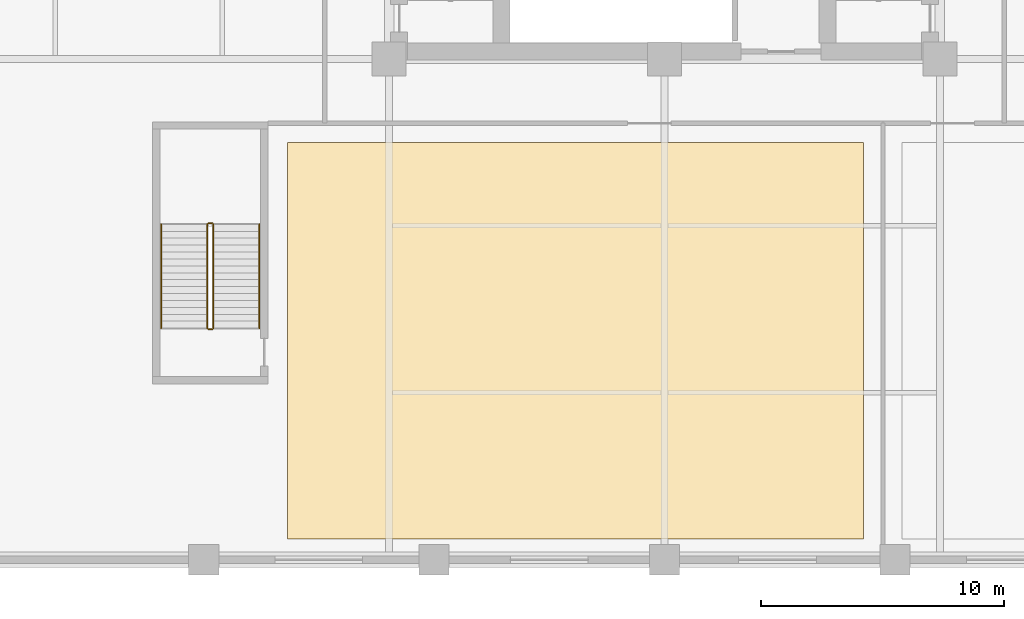
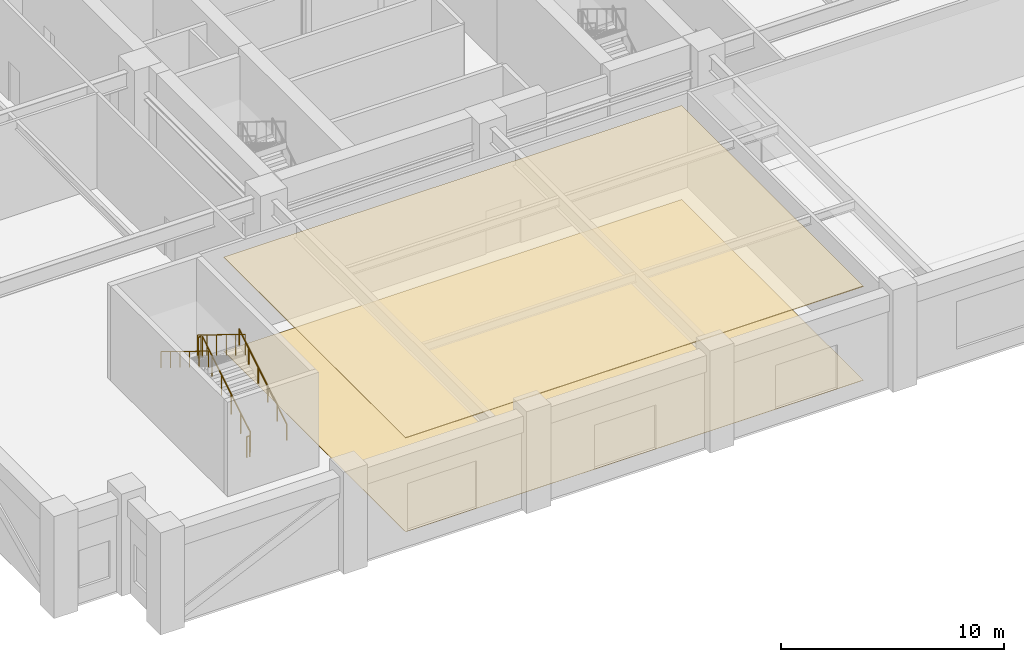
# One storey, part 10 of 14: 6 railings, 2 coverings.
"""IFC4 building model written with IfcOpenShell, lengths in metres."""

import ifcopenshell
import ifcopenshell.guid

model = None  # the IFC model being written
_history = None  # IfcOwnerHistory: only IFC2X3 demands one
_inside = {}  # id of a spatial element -> (the spatial element, [elements in it])
_under = {}  # id of a project, library or spatial element -> (it, [spatial elements below it])
_declared = {}  # id of a project -> (the project, [libraries it declares])
_typed = {}  # id of a type object -> (the type object, [elements of that type])
_made_of = {}  # id of a material, layer set ... -> (it, [elements and type objects made of it])


def new_model(schema):
    """Start an empty IFC model of exactly this schema.

    Asked for "IFC4X3", IfcOpenShell would pick the latest addendum, in which some entities
    have other attributes; the version numbers below select the first issue.
    IFC2X3 requires an IfcOwnerHistory on every rooted entity: one is made here for all.
    """
    global model, _history
    if schema == "IFC4X3":
        model = ifcopenshell.file(schema_version=(4, 3, 0, 0))
    else:
        model = ifcopenshell.file(schema=schema)
    _inside.clear()
    _under.clear()
    _declared.clear()
    _typed.clear()
    _made_of.clear()
    _history = None
    if model.schema == "IFC2X3":
        org = make("IfcOrganization", Name="unknown")
        user = make(
            "IfcPersonAndOrganization",
            ThePerson=make("IfcPerson", FamilyName="unknown"),
            TheOrganization=org,
        )
        app = make(
            "IfcApplication",
            ApplicationDeveloper=org,
            Version="unknown",
            ApplicationFullName="unknown",
            ApplicationIdentifier="unknown",
        )
        _history = make(
            "IfcOwnerHistory",
            OwningUser=user,
            OwningApplication=app,
            ChangeAction="ADDED",
            CreationDate=0,
        )
    return model


def make(cls, **values):
    """One entity of the class cls with the attributes given. An attribute that is None is left unset."""
    return model.create_entity(
        cls, **{name: value for name, value in values.items() if value is not None}
    )


def rooted(cls, **values):
    """An entity with a GlobalId (a new one), such as an element, a storey or a relation."""
    return make(cls, GlobalId=ifcopenshell.guid.new(), OwnerHistory=_history, **values)


def si_unit(unit_type, name, prefix=None):
    """IfcSIUnit, for example si_unit("LENGTHUNIT", "METRE", prefix="MILLI")."""
    return make("IfcSIUnit", UnitType=unit_type, Prefix=prefix, Name=name)


def assignment(units):
    """IfcUnitAssignment: the units of a project."""
    return None if units is None else make("IfcUnitAssignment", Units=units)


def point(xyz):
    """IfcCartesianPoint."""
    return None if xyz is None else make("IfcCartesianPoint", Coordinates=xyz)


def direction(xyz):
    """IfcDirection."""
    return None if xyz is None else make("IfcDirection", DirectionRatios=xyz)


def frame(location, z_axis=None, x_axis=None):
    """IfcAxis2Placement3D, a coordinate frame: its origin and axes. An axis left out is left unset."""
    return make(
        "IfcAxis2Placement3D",
        Location=point(location),
        Axis=direction(z_axis),
        RefDirection=direction(x_axis),
    )


def frame_2d(location, x_axis=None):
    """IfcAxis2Placement2D, a coordinate frame in the plane: its origin and x axis."""
    return make(
        "IfcAxis2Placement2D", Location=point(location), RefDirection=direction(x_axis)
    )


def origin():
    """The frame at (0, 0, 0) with its axes left unset."""
    return frame((0.0, 0.0, 0.0))


def origin_2d():
    """The frame at (0, 0) in the plane with its x axis left unset."""
    return frame_2d((0.0, 0.0))


def place(relative_to, where):
    """IfcLocalPlacement: puts the frame where relative to a parent placement (None: the world)."""
    return make(
        "IfcLocalPlacement", PlacementRelTo=relative_to, RelativePlacement=where
    )


def context(
    kind, dimensions, precision=None, world=None, true_north=None, identifier=None
):
    """IfcGeometricRepresentationContext, for example the 3D "Model" context."""
    return make(
        "IfcGeometricRepresentationContext",
        ContextIdentifier=identifier,
        ContextType=kind,
        CoordinateSpaceDimension=dimensions,
        Precision=precision,
        WorldCoordinateSystem=world,
        TrueNorth=true_north,
    )


def subcontext(parent, identifier, kind, view, scale=None):
    """IfcGeometricRepresentationSubContext, for example "Body" below "Model"."""
    return make(
        "IfcGeometricRepresentationSubContext",
        ContextIdentifier=identifier,
        ContextType=kind,
        ParentContext=parent,
        TargetScale=scale,
        TargetView=view,
    )


def project(units=None, contexts=None):
    """IfcProject with its units and contexts."""
    return rooted(
        "IfcProject",
        Name="project",
        RepresentationContexts=contexts,
        UnitsInContext=assignment(units),
    )


def spatial(cls, under=None, at=None, **own):
    """A site, building, storey or space (cls), placed at a placement, below another one or the project."""
    s = rooted(cls, ObjectPlacement=at, **own)
    if under is not None:
        _under.setdefault(under.id(), (under, []))[1].append(s)
    return s


def polyline(points):
    """IfcPolyline through the points."""
    return make("IfcPolyline", Points=[point(p) for p in points])


def profile(cls, at=None, kind="AREA", **sizes):
    """A parametric profile (cls). Its sizes go by their IFC names, for example OverallWidth=200.0."""
    return make(cls, ProfileType=kind, Position=at, **sizes)


def circle(**sizes):
    """IfcCircleProfileDef."""
    return profile("IfcCircleProfileDef", **sizes)


def outline(outer, holes=None, kind="AREA"):
    """IfcArbitraryClosedProfileDef: a profile drawn as a closed curve; with holes, ...WithVoids."""
    if holes is None:
        return make("IfcArbitraryClosedProfileDef", ProfileType=kind, OuterCurve=outer)
    return make(
        "IfcArbitraryProfileDefWithVoids",
        ProfileType=kind,
        OuterCurve=outer,
        InnerCurves=holes,
    )


def extrude(swept, where, along, depth):
    """IfcExtrudedAreaSolid: the profile swept, set in the frame where, extruded along a direction by depth."""
    return make(
        "IfcExtrudedAreaSolid",
        SweptArea=swept,
        Position=where,
        ExtrudedDirection=direction(along),
        Depth=depth,
    )


def shape(context_of_items, identifier, shape_type, items):
    """IfcShapeRepresentation: the items that make up one representation, for example the "Body"."""
    return make(
        "IfcShapeRepresentation",
        ContextOfItems=context_of_items,
        RepresentationIdentifier=identifier,
        RepresentationType=shape_type,
        Items=items,
    )


def material(Name=None, Category=None):
    """IfcMaterial."""
    return make("IfcMaterial", Name=Name, Category=Category)


def layer(
    of_material, thickness, ventilated=None, Name=None, Category=None, Priority=None
):
    """IfcMaterialLayer: one layer of a wall or slab, of a material (None: an air gap)."""
    return make(
        "IfcMaterialLayer",
        Material=of_material,
        LayerThickness=thickness,
        IsVentilated=ventilated,
        Name=Name,
        Category=Category,
        Priority=Priority,
    )


def layer_set(layers, Name=None):
    """IfcMaterialLayerSet."""
    return make("IfcMaterialLayerSet", MaterialLayers=layers, LayerSetName=Name)


def made_of(thing, what):
    """Note that an element or type object is made of a material, layer set ...; save() writes the relation."""
    if what is not None:
        _made_of.setdefault(what.id(), (what, []))[1].append(thing)
    return thing


def type_object(cls, material=None, **own):
    """A type object (cls), such as IfcWallType, which elements share."""
    return made_of(rooted(cls, **own), material)


def element(
    cls,
    number,
    at=None,
    inside=None,
    cuts=None,
    type_object=None,
    material=None,
    context=None,
    identifier="Body",
    shape_type=None,
    held_by="IfcProductDefinitionShape",
    body=None,
    shapes=None,
    **own,
):
    """One element of the class cls, such as IfcWall. Its Tag is "e" and its number.

    at: its placement. inside: the storey or other place that contains it. cuts: it is an
    opening in that element (IfcRelVoidsElement). A single representation is given by context,
    identifier, shape_type and body (its items); several are given by shapes. held_by: the class
    of the entity that holds the representations. save() writes the other relations.
    """
    e = rooted(cls, Tag="e%d" % number, ObjectPlacement=at, **own)
    if body is not None:
        shapes = [shape(context, identifier, shape_type, body)]
    if shapes is not None:
        e.Representation = make(held_by, Representations=shapes)
    if inside is not None:
        _inside.setdefault(inside.id(), (inside, []))[1].append(e)
    if cuts is not None:
        rooted(
            "IfcRelVoidsElement", RelatingBuildingElement=cuts, RelatedOpeningElement=e
        )
    if type_object is not None:
        _typed.setdefault(type_object.id(), (type_object, []))[1].append(e)
    return made_of(e, material)


def aggregate(whole, parts):
    """IfcRelAggregates: a whole, such as a stair, and the parts it consists of."""
    return rooted("IfcRelAggregates", RelatingObject=whole, RelatedObjects=parts)


def save(model, path):
    """Write the relations noted so far, then the file.

    IfcRelAggregates (storeys below a building ...), IfcRelContainedInSpatialStructure (elements
    in a storey), IfcRelDefinesByType, IfcRelAssociatesMaterial and IfcRelDeclares: one each for
    every whole, place, type object, material and project.
    """
    for whole, parts in _under.values():
        aggregate(whole, parts)
    for where, things in _inside.values():
        rooted(
            "IfcRelContainedInSpatialStructure",
            RelatedElements=things,
            RelatingStructure=where,
        )
    for kind, things in _typed.values():
        rooted("IfcRelDefinesByType", RelatedObjects=things, RelatingType=kind)
    for what, things in _made_of.values():
        rooted("IfcRelAssociatesMaterial", RelatedObjects=things, RelatingMaterial=what)
    for by, libraries in _declared.values():
        rooted("IfcRelDeclares", RelatingContext=by, RelatedDefinitions=libraries)
    model.write(path)


model = new_model("IFC4")

# Units and contexts
model_context = context("Model", 3, precision=1e-05, world=origin(), true_north=direction((0.0, 1.0)))
body_context = subcontext(model_context, "Body", "Model", "MODEL_VIEW")
ifc_project = project(units=[si_unit("LENGTHUNIT", "METRE"), si_unit("AREAUNIT", "SQUARE_METRE"), si_unit("VOLUMEUNIT", "CUBIC_METRE"), si_unit("PLANEANGLEUNIT", "RADIAN"), si_unit("MASSUNIT", "GRAM", prefix="KILO")], contexts=[model_context])

# Site, building, storey
site_placement = place(None, origin())
site = spatial("IfcSite", under=ifc_project, at=site_placement, CompositionType="ELEMENT")
building_placement = place(site_placement, origin())
building = spatial("IfcBuilding", under=site, at=building_placement, Name="Nhamokura Convention Tower", CompositionType="ELEMENT")
storey_placement = place(building_placement, frame((0.0, 0.0, 23.800048828125)))
storey = spatial("IfcBuildingStorey", under=building, at=storey_placement, Name="L04", CompositionType="ELEMENT", Elevation=23.800048828125)

# Covering
ifc_material_1 = material(Name="Anodised bronze aluminium ceiling baffle", Category="aluminium")
ifc_layer_1 = layer(ifc_material_1, 0.0400390625)
ifc_layer_set_1 = layer_set([ifc_layer_1], Name="BronzeBaffleCeiling_40")
covering_type_1 = type_object("IfcCoveringType", Name="BronzeBaffleCeiling_40", PredefinedType="CEILING", material=ifc_layer_set_1)
covering_1_placement = place(storey_placement, frame((0.0, 0.0, 5.139892578125)))
element("IfcCovering", 1, at=covering_1_placement, inside=storey, type_object=covering_type_1, Name="L04 Suspended Ceiling 03", PredefinedType="CEILING", context=body_context, shape_type="SweptSolid", body=[
    extrude(outline(polyline([(16.449951171875, 0.860107421875), (40.199951171875, 0.860107421875), (40.199951171875, 17.199951171875), (16.449951171875, 17.199951171875), (16.449951171875, 0.860107421875)])), origin(), (0.0, 0.0, 1.0), 0.0400390625),
])

# Railings
ifc_material_2 = material(Name="Anodised bronze stainless steel", Category="steel")
railing_type_1 = type_object("IfcRailingType", Name="StairWallHandrail_900", PredefinedType="HANDRAIL", material=ifc_material_2)
railing_1_placement = place(storey_placement, frame((15.300048828125, 9.550048828125, 0.175048828125)))
element("IfcRailing", 2, at=railing_1_placement, inside=storey, type_object=railing_type_1, Name="L04 ST-04 stair handrail 1", PredefinedType="HANDRAIL", context=body_context, shape_type="SweptSolid", body=[
    extrude(circle(Radius=0.02392578125, at=origin_2d()), frame((0.0, 0.0, 0.8759765625), z_axis=(0.0, 0.852165895541, 0.523271713813), x_axis=(-1.0, 0.0, 0.0)), (0.0, 0.0, 1.0), 5.0166015625),
    extrude(circle(Radius=0.02099609375, at=origin_2d()), origin(), (0.0, 0.0, 1.0), 0.851806640625),
    extrude(circle(Radius=0.02099609375, at=origin_2d()), frame((0.0, 0.85498046875, 0.52490234375)), (0.0, 0.0, 1.0), 0.851806640625),
    extrude(circle(Radius=0.02099609375, at=origin_2d()), frame((0.0, 1.7099609375, 1.050048828125)), (0.0, 0.0, 1.0), 0.851806640625),
    extrude(circle(Radius=0.02099609375, at=origin_2d()), frame((0.0, 2.56494140625, 1.574951171875)), (0.0, 0.0, 1.0), 0.851806640625),
    extrude(circle(Radius=0.02099609375, at=origin_2d()), frame((0.0, 3.419921875, 2.10009765625)), (0.0, 0.0, 1.0), 0.851806640625),
    extrude(circle(Radius=0.02099609375, at=origin_2d()), frame((0.0, 4.27490234375, 2.625)), (0.0, 0.0, 1.0), 0.851806640625),
])
railing_2_placement = place(storey_placement, frame((11.25, 13.824951171875, 2.974853515625)))
element("IfcRailing", 3, at=railing_2_placement, inside=storey, type_object=railing_type_1, Name="L04 ST-04 stair handrail 2", PredefinedType="HANDRAIL", context=body_context, shape_type="SweptSolid", body=[
    extrude(circle(Radius=0.02392578125, at=origin_2d()), frame((0.0, 0.0, 0.8759765625), z_axis=(0.0, -0.852165895541, 0.523271713813), x_axis=(1.0, 0.0, 0.0)), (0.0, 0.0, 1.0), 5.0166015625),
    extrude(circle(Radius=0.02099609375, at=origin_2d()), origin(), (0.0, 0.0, 1.0), 0.851806640625),
    extrude(circle(Radius=0.02099609375, at=origin_2d()), frame((0.0, -0.85498046875, 0.52490234375)), (0.0, 0.0, 1.0), 0.851806640625),
    extrude(circle(Radius=0.02099609375, at=origin_2d()), frame((0.0, -1.7099609375, 1.050048828125)), (0.0, 0.0, 1.0), 0.851806640625),
    extrude(circle(Radius=0.02099609375, at=origin_2d()), frame((0.0, -2.56494140625, 1.574951171875)), (0.0, 0.0, 1.0), 0.851806640625),
    extrude(circle(Radius=0.02099609375, at=origin_2d()), frame((0.0, -3.419921875, 2.10009765625)), (0.0, 0.0, 1.0), 0.851806640625),
    extrude(circle(Radius=0.02099609375, at=origin_2d()), frame((0.0, -4.27490234375, 2.625)), (0.0, 0.0, 1.0), 0.851806640625),
])
ifc_material_3 = material(Name="Painted tubular steel", Category="steel")
railing_type_2 = type_object("IfcRailingType", Name="StairWellGuardrail_1150", PredefinedType="GUARDRAIL", material=ifc_material_3)
railing_3_placement = place(storey_placement, frame((13.39990234375, 9.550048828125, 0.175048828125)))
element("IfcRailing", 4, at=railing_3_placement, inside=storey, type_object=railing_type_2, Name="L04 ST-04 stair guard 1", PredefinedType="GUARDRAIL", context=body_context, shape_type="SweptSolid", body=[
    extrude(circle(Radius=0.02392578125, at=origin_2d()), frame((0.0, 0.0, 1.1259765625), z_axis=(0.0, 0.852165895541, 0.523271713813), x_axis=(-1.0, 0.0, 0.0)), (0.0, 0.0, 1.0), 5.0166015625),
    extrude(circle(Radius=0.02099609375, at=origin_2d()), origin(), (0.0, 0.0, 1.0), 1.101806640625),
    extrude(circle(Radius=0.02099609375, at=origin_2d()), frame((0.0, 0.85498046875, 0.52490234375)), (0.0, 0.0, 1.0), 1.101806640625),
    extrude(circle(Radius=0.02099609375, at=origin_2d()), frame((0.0, 1.7099609375, 1.050048828125)), (0.0, 0.0, 1.0), 1.101806640625),
    extrude(circle(Radius=0.02099609375, at=origin_2d()), frame((0.0, 2.56494140625, 1.574951171875)), (0.0, 0.0, 1.0), 1.101806640625),
    extrude(circle(Radius=0.02099609375, at=origin_2d()), frame((0.0, 3.419921875, 2.10009765625)), (0.0, 0.0, 1.0), 1.101806640625),
    extrude(circle(Radius=0.02099609375, at=origin_2d()), frame((0.0, 4.27490234375, 2.625)), (0.0, 0.0, 1.0), 1.101806640625),
])
railing_4_placement = place(storey_placement, frame((13.35009765625, 13.875, 2.800048828125)))
element("IfcRailing", 5, at=railing_4_placement, inside=storey, type_object=railing_type_2, Name="L04 ST-04 stair guard 2", PredefinedType="GUARDRAIL", context=body_context, shape_type="SweptSolid", body=[
    extrude(circle(Radius=0.02392578125, at=origin_2d()), frame((0.0, 0.0, 1.1259765625), z_axis=(-1.0, 0.0, 0.0), x_axis=(0.0, -1.0, 0.0)), (0.0, 0.0, 1.0), 0.150146484375),
    extrude(circle(Radius=0.02099609375, at=origin_2d()), origin(), (0.0, 0.0, 1.0), 1.101806640625),
    extrude(circle(Radius=0.02099609375, at=origin_2d()), frame((-0.150146484375, 0.0, 0.0)), (0.0, 0.0, 1.0), 1.101806640625),
])
railing_5_placement = place(storey_placement, frame((13.14990234375, 13.824951171875, 2.974853515625)))
element("IfcRailing", 6, at=railing_5_placement, inside=storey, type_object=railing_type_2, Name="L04 ST-04 stair guard 3", PredefinedType="GUARDRAIL", context=body_context, shape_type="SweptSolid", body=[
    extrude(circle(Radius=0.02392578125, at=origin_2d()), frame((0.0, 0.0, 1.1259765625), z_axis=(0.0, -0.852165895541, 0.523271713813), x_axis=(1.0, 0.0, 0.0)), (0.0, 0.0, 1.0), 5.0166015625),
    extrude(circle(Radius=0.02099609375, at=origin_2d()), origin(), (0.0, 0.0, 1.0), 1.101806640625),
    extrude(circle(Radius=0.02099609375, at=origin_2d()), frame((0.0, -0.85498046875, 0.52490234375)), (0.0, 0.0, 1.0), 1.101806640625),
    extrude(circle(Radius=0.02099609375, at=origin_2d()), frame((0.0, -1.7099609375, 1.050048828125)), (0.0, 0.0, 1.0), 1.101806640625),
    extrude(circle(Radius=0.02099609375, at=origin_2d()), frame((0.0, -2.56494140625, 1.574951171875)), (0.0, 0.0, 1.0), 1.101806640625),
    extrude(circle(Radius=0.02099609375, at=origin_2d()), frame((0.0, -3.419921875, 2.10009765625)), (0.0, 0.0, 1.0), 1.101806640625),
    extrude(circle(Radius=0.02099609375, at=origin_2d()), frame((0.0, -4.27490234375, 2.625)), (0.0, 0.0, 1.0), 1.101806640625),
])
railing_6_placement = place(storey_placement, frame((13.35009765625, 9.5, 0.0)))
element("IfcRailing", 7, at=railing_6_placement, inside=storey, type_object=railing_type_2, Name="L04 ST-04 stair guard 4", PredefinedType="GUARDRAIL", context=body_context, shape_type="SweptSolid", body=[
    extrude(circle(Radius=0.02392578125, at=origin_2d()), frame((0.0, 0.0, 1.1259765625), z_axis=(-1.0, 0.0, 0.0), x_axis=(0.0, -1.0, 0.0)), (0.0, 0.0, 1.0), 0.150146484375),
    extrude(circle(Radius=0.02099609375, at=origin_2d()), origin(), (0.0, 0.0, 1.0), 1.101806640625),
    extrude(circle(Radius=0.02099609375, at=origin_2d()), frame((-0.150146484375, 0.0, 0.0)), (0.0, 0.0, 1.0), 1.101806640625),
])

# Covering
ifc_material_4 = material(Name="Acoustic woven hospitality carpet", Category="wood")
ifc_layer_2 = layer(ifc_material_4, 0.014892578125)
ifc_layer_set_2 = layer_set([ifc_layer_2], Name="WovenCarpetFlooring_15")
covering_type_2 = type_object("IfcCoveringType", Name="WovenCarpetFlooring_15", PredefinedType="FLOORING", material=ifc_layer_set_2)
covering_2_placement = place(storey_placement, origin())
element("IfcCovering", 8, at=covering_2_placement, inside=storey, type_object=covering_type_2, Name="L04 Finish Flooring 03", PredefinedType="FLOORING", context=body_context, shape_type="SweptSolid", body=[
    extrude(outline(polyline([(16.449951171875, 0.860107421875), (40.199951171875, 0.860107421875), (40.199951171875, 17.199951171875), (16.449951171875, 17.199951171875), (16.449951171875, 0.860107421875)])), origin(), (0.0, 0.0, 1.0), 0.014892578125),
])

save(model, "model.ifc")
